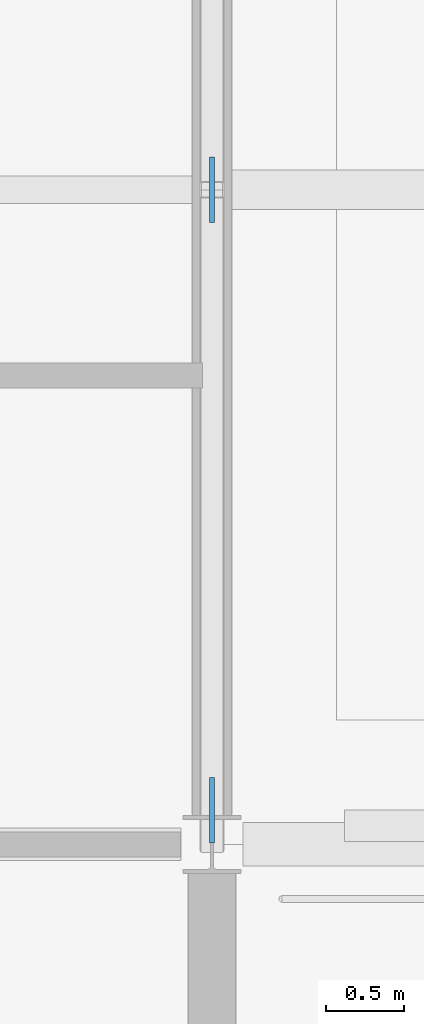
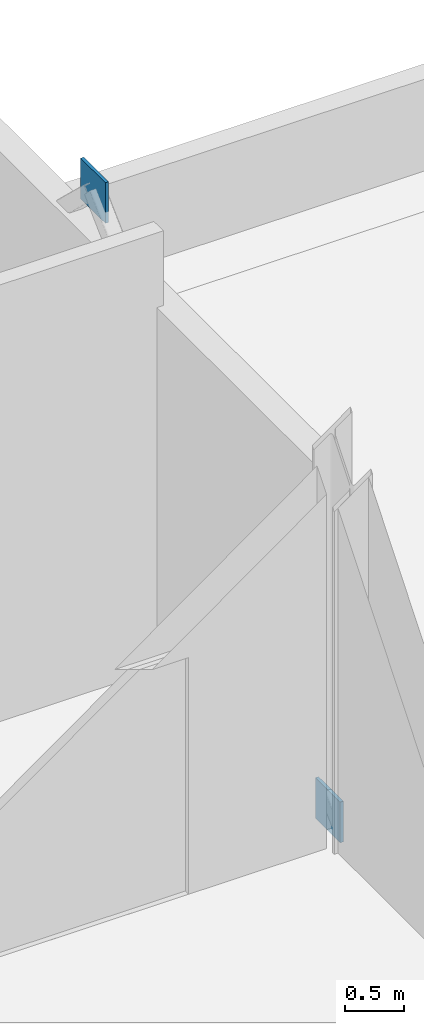
# One storey, part 42 of 72: 2 plates.
"""IFC4 building model written with IfcOpenShell, lengths in metres."""

from ifc_helpers import new_model, si_unit, direction, frame, origin, origin_2d, place, context, subcontext, project, spatial, rectangle, extrude, material, layer, layer_set, type_object, element, save


model = new_model("IFC4")

# Units and contexts
model_context = context("Model", 3, precision=1e-05, world=origin(), true_north=direction((0.0, 1.0)))
body_context = subcontext(model_context, "Body", "Model", "MODEL_VIEW")
ifc_project = project(units=[si_unit("LENGTHUNIT", "METRE"), si_unit("AREAUNIT", "SQUARE_METRE"), si_unit("VOLUMEUNIT", "CUBIC_METRE"), si_unit("PLANEANGLEUNIT", "RADIAN"), si_unit("MASSUNIT", "GRAM", prefix="KILO")], contexts=[model_context])

# Site, building, storey
site_placement = place(None, origin())
site = spatial("IfcSite", under=ifc_project, at=site_placement, CompositionType="ELEMENT")
building_placement = place(site_placement, origin())
building = spatial("IfcBuilding", under=site, at=building_placement, Name="Calvrana Isthmian Art Gallery", CompositionType="ELEMENT")
storey_placement = place(building_placement, frame((0.0, 0.0, 15.0)))
storey = spatial("IfcBuildingStorey", under=building, at=storey_placement, Name="L03", CompositionType="ELEMENT", Elevation=15.0)

# Plates
ifc_material = material(Name="Steel ASTM A572 Gr 50", Category="steel")
ifc_layer = layer(ifc_material, 0.031982421875, Name="Steel ASTM A572 Gr 50")
ifc_layer_set = layer_set([ifc_layer], Name="Steel ASTM A572 Gr 50")
plate_type = type_object("IfcPlateType", Name="PL-GUSSET-32", PredefinedType="USERDEFINED", material=ifc_layer_set)
for number, where, z_axis, x_axis, name in (
    (1, (141.60009765625, 38.6201171875, -0.06005859375), (0.0, 0.0, 1.0), (1.0, 0.0, 0.0), "Chevron brace gusset plate L03-10L"),
    (2, (141.60009765625, 42.60009765625, 3.93896484375), (0.0, 0.0, 1.0), (1.0, 0.0, 0.0), "Chevron brace gusset plate L03-10M"),
):
    element("IfcPlate", number, at=place(storey_placement, frame(where, z_axis=z_axis, x_axis=x_axis)), inside=storey, type_object=plate_type, Name=name, ObjectType="GUSSET PLATE", PredefinedType="USERDEFINED", context=body_context, shape_type="SweptSolid", body=[
        extrude(rectangle(XDim=0.031982421875, YDim=0.419921875, at=origin_2d()), origin(), (0.0, 0.0, 1.0), 0.419921875),
    ])

save(model, "model.ifc")
